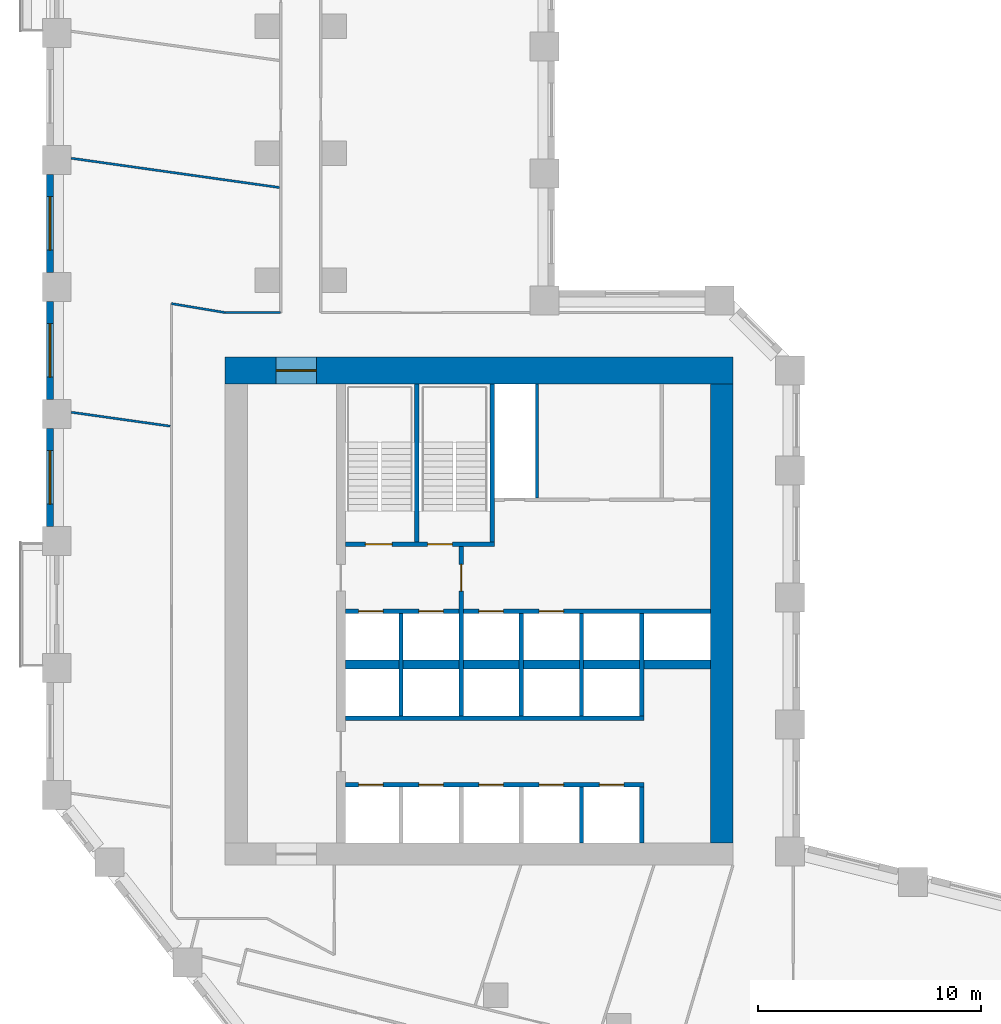
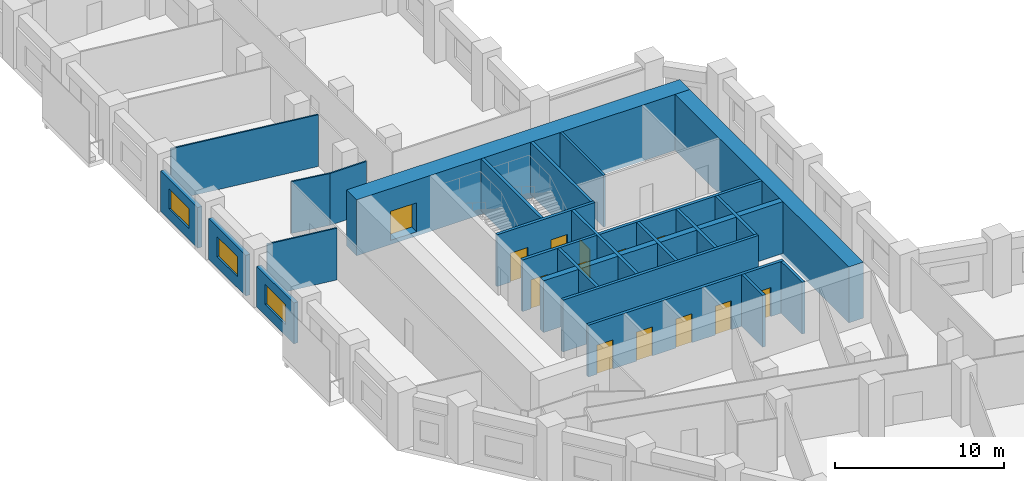
# One storey, part 5 of 11: 24 walls, 13 doors, 3 windows, 16 openings.
"""IFC4 building model written with IfcOpenShell, lengths in metres."""

from ifc_helpers import new_model, si_unit, direction, frame, frame_2d, origin, place, context, subcontext, project, spatial, rectangle, extrude, material, layer, layer_set, type_object, element, fill, save


model = new_model("IFC4")

# Units and contexts
model_context = context("Model", 3, precision=1e-05, world=origin(), true_north=direction((0.0, 1.0)))
body_context = subcontext(model_context, "Body", "Model", "MODEL_VIEW")
ifc_project = project(units=[si_unit("LENGTHUNIT", "METRE"), si_unit("AREAUNIT", "SQUARE_METRE"), si_unit("VOLUMEUNIT", "CUBIC_METRE"), si_unit("PLANEANGLEUNIT", "RADIAN"), si_unit("MASSUNIT", "GRAM", prefix="KILO")], contexts=[model_context])

# Site, building, storey
site_placement = place(None, origin())
site = spatial("IfcSite", under=ifc_project, at=site_placement, CompositionType="ELEMENT")
building_placement = place(site_placement, origin())
building = spatial("IfcBuilding", under=site, at=building_placement, Name="Meshkara Civic Tower", CompositionType="ELEMENT")
storey_placement = place(building_placement, frame((0.0, 0.0, 151.800048828125)))
storey = spatial("IfcBuildingStorey", under=building, at=storey_placement, Name="L34", CompositionType="ELEMENT", Elevation=151.800048828125)

# Walls
ifc_material_1 = material(Name="Blockwork", Category="masonry")
ifc_layer_1 = layer(ifc_material_1, 0.14990234375)
ifc_layer_set_1 = layer_set([ifc_layer_1], Name="Core partition 150")
wall_type_1 = type_object("IfcWallType", Name="Core partition 150", PredefinedType="PARTITIONING", material=ifc_layer_set_1)
wall_1_placement = place(storey_placement, frame((22.0, 30.574951171875, 0.0), z_axis=(0.0, 0.0, 1.0), x_axis=(0.0, 1.0, 0.0)))
element("IfcWall", 1, at=wall_1_placement, inside=storey, type_object=wall_type_1, Name="L34-C020", PredefinedType="PARTITIONING", context=body_context, shape_type="SweptSolid", body=[
    extrude(rectangle(XDim=5.125, YDim=0.14990234375, at=frame_2d((2.5625, 0.0))), origin(), (0.0, 0.0, 1.0), 3.75),
])
ifc_material_2 = material(Name="Concrete C70", Category="concrete")
ifc_layer_2 = layer(ifc_material_2, 1.0)
ifc_layer_set_2 = layer_set([ifc_layer_2], Name="Core ring wall 1000 C70")
wall_type_2 = type_object("IfcWallType", Name="Core ring wall 1000 C70", PredefinedType="SHEAR", material=ifc_layer_set_2)
wall_2_placement = place(storey_placement, frame((30.300048828125, 15.10009765625, -0.300048828125), z_axis=(0.0, 0.0, 1.0), x_axis=(0.0, 1.0, 0.0)))
element("IfcWall", 2, at=wall_2_placement, inside=storey, type_object=wall_type_2, Name="L34-C004", PredefinedType="SHEAR", context=body_context, shape_type="SweptSolid", body=[
    extrude(rectangle(XDim=20.599853515625, YDim=1.0, at=frame_2d((10.2998046875, 0.0))), origin(), (0.0, 0.0, 1.0), 4.050048828125),
])

# Wall, opening, door
ifc_material_3 = material(Name="Concrete C70", Category="concrete")
ifc_layer_3 = layer(ifc_material_3, 1.199951171875)
ifc_layer_set_3 = layer_set([ifc_layer_3], Name="Core ring wall 1200 C70")
wall_type_3 = type_object("IfcWallType", Name="Core ring wall 1200 C70", PredefinedType="SHEAR", material=ifc_layer_set_3)
wall_3_placement = place(storey_placement, frame((8.0, 36.300048828125, -0.300048828125), z_axis=(0.0, 0.0, 1.0), x_axis=(1.0, 0.0, 0.0)))
wall_3 = element("IfcWall", 3, at=wall_3_placement, inside=storey, type_object=wall_type_3, Name="L34-C002", PredefinedType="SHEAR", context=body_context, shape_type="SweptSolid", body=[
    extrude(rectangle(XDim=22.800048828125, YDim=1.199951171875, at=frame_2d((11.39990234375, 0.0))), origin(), (0.0, 0.0, 1.0), 4.050048828125),
])
opening_1_placement = place(wall_3_placement, frame((2.300048828125, 0.0, 0.300048828125)))
opening_1 = element("IfcOpeningElement", 4, at=opening_1_placement, cuts=wall_3, Name="Opening L34-K018", PredefinedType="OPENING", context=body_context, shape_type="SweptSolid", body=[
    extrude(rectangle(XDim=1.800048828125, YDim=2.10009765625, at=frame_2d((0.89990234375, 1.050048828125))), frame((0.0, 0.60986328125, 0.0), z_axis=(0.0, -1.0, 0.0), x_axis=(1.0, 0.0, 0.0)), (0.0, 0.0, 1.0), 1.219970703125),
])
ifc_material_4 = material(Name="Fire-rated door leaf in steel frame", Category="steel")
door_type_1 = type_object("IfcDoorType", Name="Core double door 1800 EI 60", OperationType="DOUBLE_DOOR_SINGLE_SWING", PredefinedType="DOOR", material=ifc_material_4)
door_1_placement = place(opening_1_placement, origin())
door_1 = element("IfcDoor", 5, at=door_1_placement, inside=storey, type_object=door_type_1, Name="L34-K018", OperationType="DOUBLE_DOOR_SINGLE_SWING", OverallHeight=2.10009765625, OverallWidth=1.800048828125, PredefinedType="DOOR", context=body_context, shape_type="SweptSolid", body=[
    extrude(rectangle(XDim=1.800048828125, YDim=2.10009765625, at=frame_2d((0.89990234375, 1.050048828125))), frame((0.0, 0.02490234375, 0.0), z_axis=(0.0, -1.0, 0.0), x_axis=(1.0, 0.0, 0.0)), (0.0, 0.0, 1.0), 0.050048828125),
])
fill(opening_1, door_1)

# Walls
ifc_material_5 = material(Name="Concrete C70", Category="concrete")
ifc_layer_4 = layer(ifc_material_5, 0.39990234375)
ifc_layer_set_4 = layer_set([ifc_layer_4], Name="Core shear wall 400 C70")
wall_type_4 = type_object("IfcWallType", Name="Core shear wall 400 C70", PredefinedType="SHEAR", material=ifc_layer_set_4)
wall_4_placement = place(storey_placement, frame((13.39990234375, 23.10009765625, 0.0), z_axis=(0.0, 0.0, 1.0), x_axis=(1.0, 0.0, 0.0)))
element("IfcWall", 6, at=wall_4_placement, inside=storey, type_object=wall_type_4, Name="L34-C007", PredefinedType="SHEAR", context=body_context, shape_type="SweptSolid", body=[
    extrude(rectangle(XDim=16.400146484375, YDim=0.39990234375, at=frame_2d((8.2001953125, 0.0))), origin(), (0.0, 0.0, 1.0), 3.75),
])
ifc_material_6 = material(Name="Corridor wall 100")
ifc_layer_5 = layer(ifc_material_6, 0.10009765625)
ifc_layer_set_5 = layer_set([ifc_layer_5], Name="Corridor wall 100")
wall_type_5 = type_object("IfcWallType", Name="Corridor wall 100", PredefinedType="PARTITIONING", material=ifc_layer_set_5)
wall_5_placement = place(storey_placement, frame((8.0, 38.89990234375, 0.0), z_axis=(0.0, 0.0, 1.0), x_axis=(-0.986383073668, 0.16446407505, 0.0)))
element("IfcWall", 7, at=wall_5_placement, inside=storey, type_object=wall_type_5, Name="L34-W007", PredefinedType="PARTITIONING", context=body_context, shape_type="SweptSolid", body=[
    extrude(rectangle(XDim=2.43310546875, YDim=0.10009765625, at=frame_2d((1.216552734375, 0.0))), origin(), (0.0, 0.0, 1.0), 3.75),
])
wall_6_placement = place(storey_placement, frame((10.5, 38.89990234375, 0.0), z_axis=(0.0, 0.0, 1.0), x_axis=(-1.0, 0.0, 0.0)))
element("IfcWall", 8, at=wall_6_placement, inside=storey, type_object=wall_type_5, Name="L34-W012", PredefinedType="PARTITIONING", context=body_context, shape_type="SweptSolid", body=[
    extrude(rectangle(XDim=2.5, YDim=0.10009765625, at=frame_2d((1.25, 0.0))), origin(), (0.0, 0.0, 1.0), 3.75),
])

# Wall, opening, window
ifc_material_7 = material(Name="Insulated infill panel with bronze anodised aluminium cladding", Category="aluminium")
ifc_layer_6 = layer(ifc_material_7, 0.300048828125)
ifc_layer_set_6 = layer_set([ifc_layer_6], Name="EXTERNAL INFILL WALL 300")
wall_type_6 = type_object("IfcWallType", Name="EXTERNAL INFILL WALL 300", PredefinedType="SOLIDWALL", material=ifc_layer_set_6)
wall_7_placement = place(storey_placement, frame((0.14990234375, 45.10498046875, 0.0), z_axis=(0.0, 0.0, 1.0), x_axis=(0.0, -1.0, 0.0)))
wall_7 = element("IfcWall", 9, at=wall_7_placement, inside=storey, type_object=wall_type_6, Name="External wall", PredefinedType="SOLIDWALL", context=body_context, shape_type="SweptSolid", body=[
    extrude(rectangle(XDim=4.39990234375, YDim=0.300048828125, at=frame_2d((2.199951171875, 0.0))), origin(), (0.0, 0.0, 1.0), 2.949951171875),
])
opening_2_placement = place(wall_7_placement, frame((1.0, 0.0, 0.800048828125)))
opening_2 = element("IfcOpeningElement", 10, at=opening_2_placement, cuts=wall_7, Name="Opening W8", PredefinedType="OPENING", context=body_context, shape_type="SweptSolid", body=[
    extrude(rectangle(XDim=2.39990234375, YDim=1.449951171875, at=frame_2d((1.199951171875, 0.72509765625))), frame((0.0, 0.159912109375, 0.0), z_axis=(0.0, -1.0, 0.0), x_axis=(1.0, 0.0, 0.0)), (0.0, 0.0, 1.0), 0.320068359375),
])
ifc_material_8 = material(Name="Tinted double glazing", Category="glass")
window_type = type_object("IfcWindowType", Name="WINDOW 2400x1450", PartitioningType="DOUBLE_PANEL_VERTICAL", PredefinedType="WINDOW", material=ifc_material_8)
window_1_placement = place(opening_2_placement, origin())
window_1 = element("IfcWindow", 11, at=window_1_placement, inside=storey, type_object=window_type, Name="Window", OverallHeight=1.449951171875, OverallWidth=2.39990234375, PartitioningType="DOUBLE_PANEL_VERTICAL", PredefinedType="WINDOW", context=body_context, shape_type="SweptSolid", body=[
    extrude(rectangle(XDim=2.39990234375, YDim=1.449951171875, at=frame_2d((1.199951171875, 0.72509765625))), frame((0.0, 0.030029296875, 0.0), z_axis=(0.0, -1.0, 0.0), x_axis=(1.0, 0.0, 0.0)), (0.0, 0.0, 1.0), 0.06005859375),
])
fill(opening_2, window_1)

wall_8_placement = place(storey_placement, frame((0.14990234375, 39.405029296875, 0.0), z_axis=(0.0, 0.0, 1.0), x_axis=(0.0, -1.0, 0.0)))
wall_8 = element("IfcWall", 12, at=wall_8_placement, inside=storey, type_object=wall_type_6, Name="External wall", PredefinedType="SOLIDWALL", context=body_context, shape_type="SweptSolid", body=[
    extrude(rectangle(XDim=4.400146484375, YDim=0.300048828125, at=frame_2d((2.2001953125, 0.0))), origin(), (0.0, 0.0, 1.0), 2.949951171875),
])
opening_3_placement = place(wall_8_placement, frame((1.0, 0.0, 0.800048828125)))
opening_3 = element("IfcOpeningElement", 13, at=opening_3_placement, cuts=wall_8, Name="Opening W8", PredefinedType="OPENING", context=body_context, shape_type="SweptSolid", body=[
    extrude(rectangle(XDim=2.39990234375, YDim=1.449951171875, at=frame_2d((1.199951171875, 0.72509765625))), frame((0.0, 0.159912109375, 0.0), z_axis=(0.0, -1.0, 0.0), x_axis=(1.0, 0.0, 0.0)), (0.0, 0.0, 1.0), 0.320068359375),
])
window_2_placement = place(opening_3_placement, origin())
window_2 = element("IfcWindow", 14, at=window_2_placement, inside=storey, type_object=window_type, Name="Window", OverallHeight=1.449951171875, OverallWidth=2.39990234375, PartitioningType="DOUBLE_PANEL_VERTICAL", PredefinedType="WINDOW", context=body_context, shape_type="SweptSolid", body=[
    extrude(rectangle(XDim=2.39990234375, YDim=1.449951171875, at=frame_2d((1.199951171875, 0.72509765625))), frame((0.0, 0.030029296875, 0.0), z_axis=(0.0, -1.0, 0.0), x_axis=(1.0, 0.0, 0.0)), (0.0, 0.0, 1.0), 0.06005859375),
])
fill(opening_3, window_2)

wall_9_placement = place(storey_placement, frame((0.14990234375, 33.705078125, 0.0), z_axis=(0.0, 0.0, 1.0), x_axis=(0.0, -1.0, 0.0)))
wall_9 = element("IfcWall", 15, at=wall_9_placement, inside=storey, type_object=wall_type_6, Name="External wall", PredefinedType="SOLIDWALL", context=body_context, shape_type="SweptSolid", body=[
    extrude(rectangle(XDim=4.400146484375, YDim=0.300048828125, at=frame_2d((2.2001953125, 0.0))), origin(), (0.0, 0.0, 1.0), 2.949951171875),
])
opening_4_placement = place(wall_9_placement, frame((1.0, 0.0, 0.800048828125)))
opening_4 = element("IfcOpeningElement", 16, at=opening_4_placement, cuts=wall_9, Name="Opening W8", PredefinedType="OPENING", context=body_context, shape_type="SweptSolid", body=[
    extrude(rectangle(XDim=2.39990234375, YDim=1.449951171875, at=frame_2d((1.199951171875, 0.72509765625))), frame((0.0, 0.159912109375, 0.0), z_axis=(0.0, -1.0, 0.0), x_axis=(1.0, 0.0, 0.0)), (0.0, 0.0, 1.0), 0.320068359375),
])
window_3_placement = place(opening_4_placement, origin())
window_3 = element("IfcWindow", 17, at=window_3_placement, inside=storey, type_object=window_type, Name="Window", OverallHeight=1.449951171875, OverallWidth=2.39990234375, PartitioningType="DOUBLE_PANEL_VERTICAL", PredefinedType="WINDOW", context=body_context, shape_type="SweptSolid", body=[
    extrude(rectangle(XDim=2.39990234375, YDim=1.449951171875, at=frame_2d((1.199951171875, 0.72509765625))), frame((0.0, 0.030029296875, 0.0), z_axis=(0.0, -1.0, 0.0), x_axis=(1.0, 0.0, 0.0)), (0.0, 0.0, 1.0), 0.06005859375),
])
fill(opening_4, window_3)

# Walls
ifc_material_9 = material(Name="Partition 100")
ifc_layer_7 = layer(ifc_material_9, 0.10009765625)
ifc_layer_set_7 = layer_set([ifc_layer_7], Name="Partition 100")
wall_type_7 = type_object("IfcWallType", Name="Partition 100", PredefinedType="PARTITIONING", material=ifc_layer_set_7)
wall_10_placement = place(storey_placement, frame((5.54296875, 33.801025390625, 0.0), z_axis=(0.0, 0.0, 1.0), x_axis=(-0.990249777372, 0.139303188816, 0.0)))
element("IfcWall", 18, at=wall_10_placement, inside=storey, type_object=wall_type_7, Name="L34-W033", PredefinedType="PARTITIONING", context=body_context, shape_type="SweptSolid", body=[
    extrude(rectangle(XDim=4.486572265625, YDim=0.10009765625, at=frame_2d((2.2431640625, 0.0))), origin(), (0.0, 0.0, 1.0), 3.75),
])
wall_11_placement = place(storey_placement, frame((10.443115234375, 44.511962890625, 0.0), z_axis=(0.0, 0.0, 1.0), x_axis=(-0.990255073415, 0.139265536207, 0.0)))
element("IfcWall", 19, at=wall_11_placement, inside=storey, type_object=wall_type_7, Name="L34-W036", PredefinedType="PARTITIONING", context=body_context, shape_type="SweptSolid", body=[
    extrude(rectangle(XDim=9.43505859375, YDim=0.10009765625, at=frame_2d((4.717529296875, 0.0))), origin(), (0.0, 0.0, 1.0), 3.75),
])

# Wall, openings, doors
ifc_material_10 = material(Name="Concrete C40/50", Category="concrete")
ifc_layer_8 = layer(ifc_material_10, 0.199951171875)
ifc_layer_set_8 = layer_set([ifc_layer_8], Name="Shaft wall 200 C40/50")
wall_type_8 = type_object("IfcWallType", Name="Shaft wall 200 C40/50", PredefinedType="SOLIDWALL", material=ifc_layer_set_8)
wall_12_placement = place(storey_placement, frame((13.39990234375, 17.699951171875, 0.0), z_axis=(0.0, 0.0, 1.0), x_axis=(1.0, 0.0, 0.0)))
wall_12 = element("IfcWall", 20, at=wall_12_placement, inside=storey, type_object=wall_type_8, Name="L34-C005", PredefinedType="SOLIDWALL", context=body_context, shape_type="SweptSolid", body=[
    extrude(rectangle(XDim=13.400146484375, YDim=0.199951171875, at=frame_2d((6.7001953125, 0.0))), origin(), (0.0, 0.0, 1.0), 3.75),
])
opening_5_placement = place(wall_12_placement, frame((0.60009765625, 0.0, 0.0)))
opening_5 = element("IfcOpeningElement", 21, at=opening_5_placement, cuts=wall_12, Name="Opening L34-K001", PredefinedType="OPENING", context=body_context, shape_type="SweptSolid", body=[
    extrude(rectangle(XDim=1.10009765625, YDim=2.10009765625, at=frame_2d((0.550048828125, 1.050048828125))), frame((0.0, 0.10986328125, 0.0), z_axis=(0.0, -1.0, 0.0), x_axis=(1.0, 0.0, 0.0)), (0.0, 0.0, 1.0), 0.219970703125),
])
opening_6_placement = place(wall_12_placement, frame((3.300048828125, 0.0, 0.0)))
opening_6 = element("IfcOpeningElement", 22, at=opening_6_placement, cuts=wall_12, Name="Opening L34-K002", PredefinedType="OPENING", context=body_context, shape_type="SweptSolid", body=[
    extrude(rectangle(XDim=1.10009765625, YDim=2.10009765625, at=frame_2d((0.550048828125, 1.050048828125))), frame((0.0, 0.10986328125, 0.0), z_axis=(0.0, -1.0, 0.0), x_axis=(1.0, 0.0, 0.0)), (0.0, 0.0, 1.0), 0.219970703125),
])
opening_7_placement = place(wall_12_placement, frame((6.0, 0.0, 0.0)))
opening_7 = element("IfcOpeningElement", 23, at=opening_7_placement, cuts=wall_12, Name="Opening L34-K003", PredefinedType="OPENING", context=body_context, shape_type="SweptSolid", body=[
    extrude(rectangle(XDim=1.10009765625, YDim=2.10009765625, at=frame_2d((0.550048828125, 1.050048828125))), frame((0.0, 0.10986328125, 0.0), z_axis=(0.0, -1.0, 0.0), x_axis=(1.0, 0.0, 0.0)), (0.0, 0.0, 1.0), 0.219970703125),
])
opening_8_placement = place(wall_12_placement, frame((8.699951171875, 0.0, 0.0)))
opening_8 = element("IfcOpeningElement", 24, at=opening_8_placement, cuts=wall_12, Name="Opening L34-K004", PredefinedType="OPENING", context=body_context, shape_type="SweptSolid", body=[
    extrude(rectangle(XDim=1.10009765625, YDim=2.10009765625, at=frame_2d((0.550048828125, 1.050048828125))), frame((0.0, 0.10986328125, 0.0), z_axis=(0.0, -1.0, 0.0), x_axis=(1.0, 0.0, 0.0)), (0.0, 0.0, 1.0), 0.219970703125),
])
opening_9_placement = place(wall_12_placement, frame((11.39990234375, 0.0, 0.0)))
opening_9 = element("IfcOpeningElement", 25, at=opening_9_placement, cuts=wall_12, Name="Opening L34-K005", PredefinedType="OPENING", context=body_context, shape_type="SweptSolid", body=[
    extrude(rectangle(XDim=1.10009765625, YDim=2.10009765625, at=frame_2d((0.550048828125, 1.050048828125))), frame((0.0, 0.10986328125, 0.0), z_axis=(0.0, -1.0, 0.0), x_axis=(1.0, 0.0, 0.0)), (0.0, 0.0, 1.0), 0.219970703125),
])
ifc_material_11 = material(Name="Stainless steel landing door", Category="steel")
door_type_2 = type_object("IfcDoorType", Name="Lift landing door 1100", OperationType="SLIDING_TO_LEFT", PredefinedType="DOOR", material=ifc_material_11)
door_2_placement = place(opening_5_placement, origin())
door_2 = element("IfcDoor", 26, at=door_2_placement, inside=storey, type_object=door_type_2, Name="L34-K001", OperationType="SLIDING_TO_LEFT", OverallHeight=2.10009765625, OverallWidth=1.10009765625, PredefinedType="DOOR", context=body_context, shape_type="SweptSolid", body=[
    extrude(rectangle(XDim=1.10009765625, YDim=2.10009765625, at=frame_2d((0.550048828125, 1.050048828125))), frame((0.0, 0.02490234375, 0.0), z_axis=(0.0, -1.0, 0.0), x_axis=(1.0, 0.0, 0.0)), (0.0, 0.0, 1.0), 0.050048828125),
])
fill(opening_5, door_2)
door_3_placement = place(opening_6_placement, origin())
door_3 = element("IfcDoor", 27, at=door_3_placement, inside=storey, type_object=door_type_2, Name="L34-K002", OperationType="SLIDING_TO_LEFT", OverallHeight=2.10009765625, OverallWidth=1.10009765625, PredefinedType="DOOR", context=body_context, shape_type="SweptSolid", body=[
    extrude(rectangle(XDim=1.10009765625, YDim=2.10009765625, at=frame_2d((0.550048828125, 1.050048828125))), frame((0.0, 0.02490234375, 0.0), z_axis=(0.0, -1.0, 0.0), x_axis=(1.0, 0.0, 0.0)), (0.0, 0.0, 1.0), 0.050048828125),
])
fill(opening_6, door_3)
door_4_placement = place(opening_7_placement, origin())
door_4 = element("IfcDoor", 28, at=door_4_placement, inside=storey, type_object=door_type_2, Name="L34-K003", OperationType="SLIDING_TO_LEFT", OverallHeight=2.10009765625, OverallWidth=1.10009765625, PredefinedType="DOOR", context=body_context, shape_type="SweptSolid", body=[
    extrude(rectangle(XDim=1.10009765625, YDim=2.10009765625, at=frame_2d((0.550048828125, 1.050048828125))), frame((0.0, 0.02490234375, 0.0), z_axis=(0.0, -1.0, 0.0), x_axis=(1.0, 0.0, 0.0)), (0.0, 0.0, 1.0), 0.050048828125),
])
fill(opening_7, door_4)
door_5_placement = place(opening_8_placement, origin())
door_5 = element("IfcDoor", 29, at=door_5_placement, inside=storey, type_object=door_type_2, Name="L34-K004", OperationType="SLIDING_TO_LEFT", OverallHeight=2.10009765625, OverallWidth=1.10009765625, PredefinedType="DOOR", context=body_context, shape_type="SweptSolid", body=[
    extrude(rectangle(XDim=1.10009765625, YDim=2.10009765625, at=frame_2d((0.550048828125, 1.050048828125))), frame((0.0, 0.02490234375, 0.0), z_axis=(0.0, -1.0, 0.0), x_axis=(1.0, 0.0, 0.0)), (0.0, 0.0, 1.0), 0.050048828125),
])
fill(opening_8, door_5)
door_6_placement = place(opening_9_placement, origin())
door_6 = element("IfcDoor", 30, at=door_6_placement, inside=storey, type_object=door_type_2, Name="L34-K005", OperationType="SLIDING_TO_LEFT", OverallHeight=2.10009765625, OverallWidth=1.10009765625, PredefinedType="DOOR", context=body_context, shape_type="SweptSolid", body=[
    extrude(rectangle(XDim=1.10009765625, YDim=2.10009765625, at=frame_2d((0.550048828125, 1.050048828125))), frame((0.0, 0.02490234375, 0.0), z_axis=(0.0, -1.0, 0.0), x_axis=(1.0, 0.0, 0.0)), (0.0, 0.0, 1.0), 0.050048828125),
])
fill(opening_9, door_6)

# Wall
wall_13_placement = place(storey_placement, frame((13.39990234375, 20.699951171875, 0.0), z_axis=(0.0, 0.0, 1.0), x_axis=(1.0, 0.0, 0.0)))
element("IfcWall", 31, at=wall_13_placement, inside=storey, type_object=wall_type_8, Name="L34-C006", PredefinedType="SOLIDWALL", context=body_context, shape_type="SweptSolid", body=[
    extrude(rectangle(XDim=13.400146484375, YDim=0.199951171875, at=frame_2d((6.7001953125, 0.0))), origin(), (0.0, 0.0, 1.0), 3.75),
])

# Wall, openings, doors
wall_14_placement = place(storey_placement, frame((13.39990234375, 25.5, 0.0), z_axis=(0.0, 0.0, 1.0), x_axis=(1.0, 0.0, 0.0)))
wall_14 = element("IfcWall", 32, at=wall_14_placement, inside=storey, type_object=wall_type_8, Name="L34-C008", PredefinedType="SOLIDWALL", context=body_context, shape_type="SweptSolid", body=[
    extrude(rectangle(XDim=16.400146484375, YDim=0.199951171875, at=frame_2d((8.2001953125, 0.0))), origin(), (0.0, 0.0, 1.0), 3.75),
])
opening_10_placement = place(wall_14_placement, frame((0.60009765625, 0.0, 0.0)))
opening_10 = element("IfcOpeningElement", 33, at=opening_10_placement, cuts=wall_14, Name="Opening L34-K006", PredefinedType="OPENING", context=body_context, shape_type="SweptSolid", body=[
    extrude(rectangle(XDim=1.10009765625, YDim=2.10009765625, at=frame_2d((0.550048828125, 1.050048828125))), frame((0.0, 0.10986328125, 0.0), z_axis=(0.0, -1.0, 0.0), x_axis=(1.0, 0.0, 0.0)), (0.0, 0.0, 1.0), 0.219970703125),
])
opening_11_placement = place(wall_14_placement, frame((3.300048828125, 0.0, 0.0)))
opening_11 = element("IfcOpeningElement", 34, at=opening_11_placement, cuts=wall_14, Name="Opening L34-K007", PredefinedType="OPENING", context=body_context, shape_type="SweptSolid", body=[
    extrude(rectangle(XDim=1.10009765625, YDim=2.10009765625, at=frame_2d((0.550048828125, 1.050048828125))), frame((0.0, 0.10986328125, 0.0), z_axis=(0.0, -1.0, 0.0), x_axis=(1.0, 0.0, 0.0)), (0.0, 0.0, 1.0), 0.219970703125),
])
opening_12_placement = place(wall_14_placement, frame((6.0, 0.0, 0.0)))
opening_12 = element("IfcOpeningElement", 35, at=opening_12_placement, cuts=wall_14, Name="Opening L34-K008", PredefinedType="OPENING", context=body_context, shape_type="SweptSolid", body=[
    extrude(rectangle(XDim=1.10009765625, YDim=2.10009765625, at=frame_2d((0.550048828125, 1.050048828125))), frame((0.0, 0.10986328125, 0.0), z_axis=(0.0, -1.0, 0.0), x_axis=(1.0, 0.0, 0.0)), (0.0, 0.0, 1.0), 0.219970703125),
])
opening_13_placement = place(wall_14_placement, frame((8.699951171875, 0.0, 0.0)))
opening_13 = element("IfcOpeningElement", 36, at=opening_13_placement, cuts=wall_14, Name="Opening L34-K009", PredefinedType="OPENING", context=body_context, shape_type="SweptSolid", body=[
    extrude(rectangle(XDim=1.10009765625, YDim=2.10009765625, at=frame_2d((0.550048828125, 1.050048828125))), frame((0.0, 0.10986328125, 0.0), z_axis=(0.0, -1.0, 0.0), x_axis=(1.0, 0.0, 0.0)), (0.0, 0.0, 1.0), 0.219970703125),
])
door_7_placement = place(opening_10_placement, origin())
door_7 = element("IfcDoor", 37, at=door_7_placement, inside=storey, type_object=door_type_2, Name="L34-K006", OperationType="SLIDING_TO_LEFT", OverallHeight=2.10009765625, OverallWidth=1.10009765625, PredefinedType="DOOR", context=body_context, shape_type="SweptSolid", body=[
    extrude(rectangle(XDim=1.10009765625, YDim=2.10009765625, at=frame_2d((0.550048828125, 1.050048828125))), frame((0.0, 0.02490234375, 0.0), z_axis=(0.0, -1.0, 0.0), x_axis=(1.0, 0.0, 0.0)), (0.0, 0.0, 1.0), 0.050048828125),
])
fill(opening_10, door_7)
door_8_placement = place(opening_11_placement, origin())
door_8 = element("IfcDoor", 38, at=door_8_placement, inside=storey, type_object=door_type_2, Name="L34-K007", OperationType="SLIDING_TO_LEFT", OverallHeight=2.10009765625, OverallWidth=1.10009765625, PredefinedType="DOOR", context=body_context, shape_type="SweptSolid", body=[
    extrude(rectangle(XDim=1.10009765625, YDim=2.10009765625, at=frame_2d((0.550048828125, 1.050048828125))), frame((0.0, 0.02490234375, 0.0), z_axis=(0.0, -1.0, 0.0), x_axis=(1.0, 0.0, 0.0)), (0.0, 0.0, 1.0), 0.050048828125),
])
fill(opening_11, door_8)
door_9_placement = place(opening_12_placement, origin())
door_9 = element("IfcDoor", 39, at=door_9_placement, inside=storey, type_object=door_type_2, Name="L34-K008", OperationType="SLIDING_TO_LEFT", OverallHeight=2.10009765625, OverallWidth=1.10009765625, PredefinedType="DOOR", context=body_context, shape_type="SweptSolid", body=[
    extrude(rectangle(XDim=1.10009765625, YDim=2.10009765625, at=frame_2d((0.550048828125, 1.050048828125))), frame((0.0, 0.02490234375, 0.0), z_axis=(0.0, -1.0, 0.0), x_axis=(1.0, 0.0, 0.0)), (0.0, 0.0, 1.0), 0.050048828125),
])
fill(opening_12, door_9)
door_10_placement = place(opening_13_placement, origin())
door_10 = element("IfcDoor", 40, at=door_10_placement, inside=storey, type_object=door_type_2, Name="L34-K009", OperationType="SLIDING_TO_LEFT", OverallHeight=2.10009765625, OverallWidth=1.10009765625, PredefinedType="DOOR", context=body_context, shape_type="SweptSolid", body=[
    extrude(rectangle(XDim=1.10009765625, YDim=2.10009765625, at=frame_2d((0.550048828125, 1.050048828125))), frame((0.0, 0.02490234375, 0.0), z_axis=(0.0, -1.0, 0.0), x_axis=(1.0, 0.0, 0.0)), (0.0, 0.0, 1.0), 0.050048828125),
])
fill(opening_13, door_10)

# Wall
wall_15_placement = place(storey_placement, frame((15.89990234375, 20.800048828125, 0.0), z_axis=(0.0, 0.0, 1.0), x_axis=(0.0, 1.0, 0.0)))
element("IfcWall", 41, at=wall_15_placement, inside=storey, type_object=wall_type_8, Name="L34-C013", PredefinedType="SOLIDWALL", context=body_context, shape_type="SweptSolid", body=[
    extrude(rectangle(XDim=4.599853515625, YDim=0.199951171875, at=frame_2d((2.2998046875, 0.0))), origin(), (0.0, 0.0, 1.0), 3.75),
])

# Wall, opening, door
wall_16_placement = place(storey_placement, frame((18.60009765625, 20.800048828125, 0.0), z_axis=(0.0, 0.0, 1.0), x_axis=(0.0, 1.0, 0.0)))
wall_16 = element("IfcWall", 42, at=wall_16_placement, inside=storey, type_object=wall_type_8, Name="L34-C016", PredefinedType="SOLIDWALL", context=body_context, shape_type="SweptSolid", body=[
    extrude(rectangle(XDim=7.599853515625, YDim=0.199951171875, at=frame_2d((3.7998046875, 0.0))), origin(), (0.0, 0.0, 1.0), 3.75),
])
opening_14_placement = place(wall_16_placement, frame((5.60009765625, 0.0, 0.0)))
opening_14 = element("IfcOpeningElement", 43, at=opening_14_placement, cuts=wall_16, Name="Opening L34-K017", PredefinedType="OPENING", context=body_context, shape_type="SweptSolid", body=[
    extrude(rectangle(XDim=1.199951171875, YDim=2.10009765625, at=frame_2d((0.60009765625, 1.050048828125))), frame((0.0, 0.10986328125, 0.0), z_axis=(0.0, -1.0, 0.0), x_axis=(1.0, 0.0, 0.0)), (0.0, 0.0, 1.0), 0.219970703125),
])
ifc_material_12 = material(Name="Fire-rated door leaf in steel frame", Category="steel")
door_type_3 = type_object("IfcDoorType", Name="Fire-fighting lobby door 1200 EI 120", OperationType="SINGLE_SWING_LEFT", PredefinedType="DOOR", material=ifc_material_12)
door_11_placement = place(opening_14_placement, origin())
door_11 = element("IfcDoor", 44, at=door_11_placement, inside=storey, type_object=door_type_3, Name="L34-K017", OperationType="SINGLE_SWING_RIGHT", OverallHeight=2.10009765625, OverallWidth=1.199951171875, PredefinedType="DOOR", context=body_context, shape_type="SweptSolid", body=[
    extrude(rectangle(XDim=1.199951171875, YDim=2.10009765625, at=frame_2d((0.60009765625, 1.050048828125))), frame((0.0, 0.02490234375, 0.0), z_axis=(0.0, -1.0, 0.0), x_axis=(1.0, 0.0, 0.0)), (0.0, 0.0, 1.0), 0.050048828125),
])
fill(opening_14, door_11)

# Walls
wall_17_placement = place(storey_placement, frame((21.300048828125, 20.800048828125, 0.0), z_axis=(0.0, 0.0, 1.0), x_axis=(0.0, 1.0, 0.0)))
element("IfcWall", 45, at=wall_17_placement, inside=storey, type_object=wall_type_8, Name="L34-C019", PredefinedType="SOLIDWALL", context=body_context, shape_type="SweptSolid", body=[
    extrude(rectangle(XDim=4.599853515625, YDim=0.199951171875, at=frame_2d((2.2998046875, 0.0))), origin(), (0.0, 0.0, 1.0), 3.75),
])
wall_18_placement = place(storey_placement, frame((24.0, 15.10009765625, 0.0), z_axis=(0.0, 0.0, 1.0), x_axis=(0.0, 1.0, 0.0)))
element("IfcWall", 46, at=wall_18_placement, inside=storey, type_object=wall_type_8, Name="L34-C021", PredefinedType="SOLIDWALL", context=body_context, shape_type="SweptSolid", body=[
    extrude(rectangle(XDim=2.5, YDim=0.199951171875, at=frame_2d((1.25, 0.0))), origin(), (0.0, 0.0, 1.0), 3.75),
])
wall_19_placement = place(storey_placement, frame((24.0, 20.800048828125, 0.0), z_axis=(0.0, 0.0, 1.0), x_axis=(0.0, 1.0, 0.0)))
element("IfcWall", 47, at=wall_19_placement, inside=storey, type_object=wall_type_8, Name="L34-C022", PredefinedType="SOLIDWALL", context=body_context, shape_type="SweptSolid", body=[
    extrude(rectangle(XDim=4.599853515625, YDim=0.199951171875, at=frame_2d((2.2998046875, 0.0))), origin(), (0.0, 0.0, 1.0), 3.75),
])
wall_20_placement = place(storey_placement, frame((26.699951171875, 15.10009765625, 0.0), z_axis=(0.0, 0.0, 1.0), x_axis=(0.0, 1.0, 0.0)))
element("IfcWall", 48, at=wall_20_placement, inside=storey, type_object=wall_type_8, Name="L34-C023", PredefinedType="SOLIDWALL", context=body_context, shape_type="SweptSolid", body=[
    extrude(rectangle(XDim=2.5, YDim=0.199951171875, at=frame_2d((1.25, 0.0))), origin(), (0.0, 0.0, 1.0), 3.75),
])
wall_21_placement = place(storey_placement, frame((26.699951171875, 20.800048828125, 0.0), z_axis=(0.0, 0.0, 1.0), x_axis=(0.0, 1.0, 0.0)))
element("IfcWall", 49, at=wall_21_placement, inside=storey, type_object=wall_type_8, Name="L34-C024", PredefinedType="SOLIDWALL", context=body_context, shape_type="SweptSolid", body=[
    extrude(rectangle(XDim=4.599853515625, YDim=0.199951171875, at=frame_2d((2.2998046875, 0.0))), origin(), (0.0, 0.0, 1.0), 3.75),
])

# Wall, openings, doors
ifc_material_13 = material(Name="Concrete C40/50", Category="concrete")
ifc_layer_9 = layer(ifc_material_13, 0.199951171875)
ifc_layer_set_9 = layer_set([ifc_layer_9], Name="Stair enclosure wall 200 C40/50")
wall_type_9 = type_object("IfcWallType", Name="Stair enclosure wall 200 C40/50", PredefinedType="SOLIDWALL", material=ifc_layer_set_9)
wall_22_placement = place(storey_placement, frame((13.39990234375, 28.5, 0.0), z_axis=(0.0, 0.0, 1.0), x_axis=(1.0, 0.0, 0.0)))
wall_22 = element("IfcWall", 50, at=wall_22_placement, inside=storey, type_object=wall_type_9, Name="L34-C009", PredefinedType="SOLIDWALL", context=body_context, shape_type="SweptSolid", body=[
    extrude(rectangle(XDim=6.7001953125, YDim=0.199951171875, at=frame_2d((3.35009765625, 0.0))), origin(), (0.0, 0.0, 1.0), 3.75),
])
opening_15_placement = place(wall_22_placement, frame((0.89990234375, 0.0, 0.0)))
opening_15 = element("IfcOpeningElement", 51, at=opening_15_placement, cuts=wall_22, Name="Opening L34-K013", PredefinedType="OPENING", context=body_context, shape_type="SweptSolid", body=[
    extrude(rectangle(XDim=1.199951171875, YDim=2.10009765625, at=frame_2d((0.60009765625, 1.050048828125))), frame((0.0, 0.10986328125, 0.0), z_axis=(0.0, -1.0, 0.0), x_axis=(1.0, 0.0, 0.0)), (0.0, 0.0, 1.0), 0.219970703125),
])
opening_16_placement = place(wall_22_placement, frame((3.699951171875, 0.0, 0.0)))
opening_16 = element("IfcOpeningElement", 52, at=opening_16_placement, cuts=wall_22, Name="Opening L34-K014", PredefinedType="OPENING", context=body_context, shape_type="SweptSolid", body=[
    extrude(rectangle(XDim=1.10009765625, YDim=2.10009765625, at=frame_2d((0.550048828125, 1.050048828125))), frame((0.0, 0.10986328125, 0.0), z_axis=(0.0, -1.0, 0.0), x_axis=(1.0, 0.0, 0.0)), (0.0, 0.0, 1.0), 0.219970703125),
])
ifc_material_14 = material(Name="Fire-rated door leaf in steel frame", Category="steel")
door_type_4 = type_object("IfcDoorType", Name="Stair door 1100 EI 120", OperationType="SINGLE_SWING_LEFT", PredefinedType="DOOR", material=ifc_material_14)
door_12_placement = place(opening_16_placement, origin())
door_12 = element("IfcDoor", 53, at=door_12_placement, inside=storey, type_object=door_type_4, Name="L34-K014", OperationType="SINGLE_SWING_LEFT", OverallHeight=2.10009765625, OverallWidth=1.10009765625, PredefinedType="DOOR", context=body_context, shape_type="SweptSolid", body=[
    extrude(rectangle(XDim=1.10009765625, YDim=2.10009765625, at=frame_2d((0.550048828125, 1.050048828125))), frame((0.0, 0.02490234375, 0.0), z_axis=(0.0, -1.0, 0.0), x_axis=(1.0, 0.0, 0.0)), (0.0, 0.0, 1.0), 0.050048828125),
])
fill(opening_16, door_12)
ifc_material_15 = material(Name="Fire-rated door leaf in steel frame", Category="steel")
door_type_5 = type_object("IfcDoorType", Name="Stair door 1200 EI 120", OperationType="SINGLE_SWING_LEFT", PredefinedType="DOOR", material=ifc_material_15)
door_13_placement = place(opening_15_placement, origin())
door_13 = element("IfcDoor", 54, at=door_13_placement, inside=storey, type_object=door_type_5, Name="L34-K013", OperationType="SINGLE_SWING_RIGHT", OverallHeight=2.10009765625, OverallWidth=1.199951171875, PredefinedType="DOOR", context=body_context, shape_type="SweptSolid", body=[
    extrude(rectangle(XDim=1.199951171875, YDim=2.10009765625, at=frame_2d((0.60009765625, 1.050048828125))), frame((0.0, 0.02490234375, 0.0), z_axis=(0.0, -1.0, 0.0), x_axis=(1.0, 0.0, 0.0)), (0.0, 0.0, 1.0), 0.050048828125),
])
fill(opening_15, door_13)

# Walls
for number, where, z_axis, x_axis, name in (
    (55, (16.60009765625, 28.60009765625, 0.0), (0.0, 0.0, 1.0), (0.0, 1.0, 0.0), "L34-C014"),
    (56, (20.0, 28.60009765625, 0.0), (0.0, 0.0, 1.0), (0.0, 1.0, 0.0), "L34-C017"),
):
    element("IfcWall", number, at=place(storey_placement, frame(where, z_axis=z_axis, x_axis=x_axis)), inside=storey, type_object=wall_type_9, Name=name, PredefinedType="SOLIDWALL", context=body_context, shape_type="SweptSolid", body=[
        extrude(rectangle(XDim=7.099853515625, YDim=0.199951171875, at=frame_2d((3.5498046875, 0.0))), origin(), (0.0, 0.0, 1.0), 3.75),
    ])

save(model, "model.ifc")
